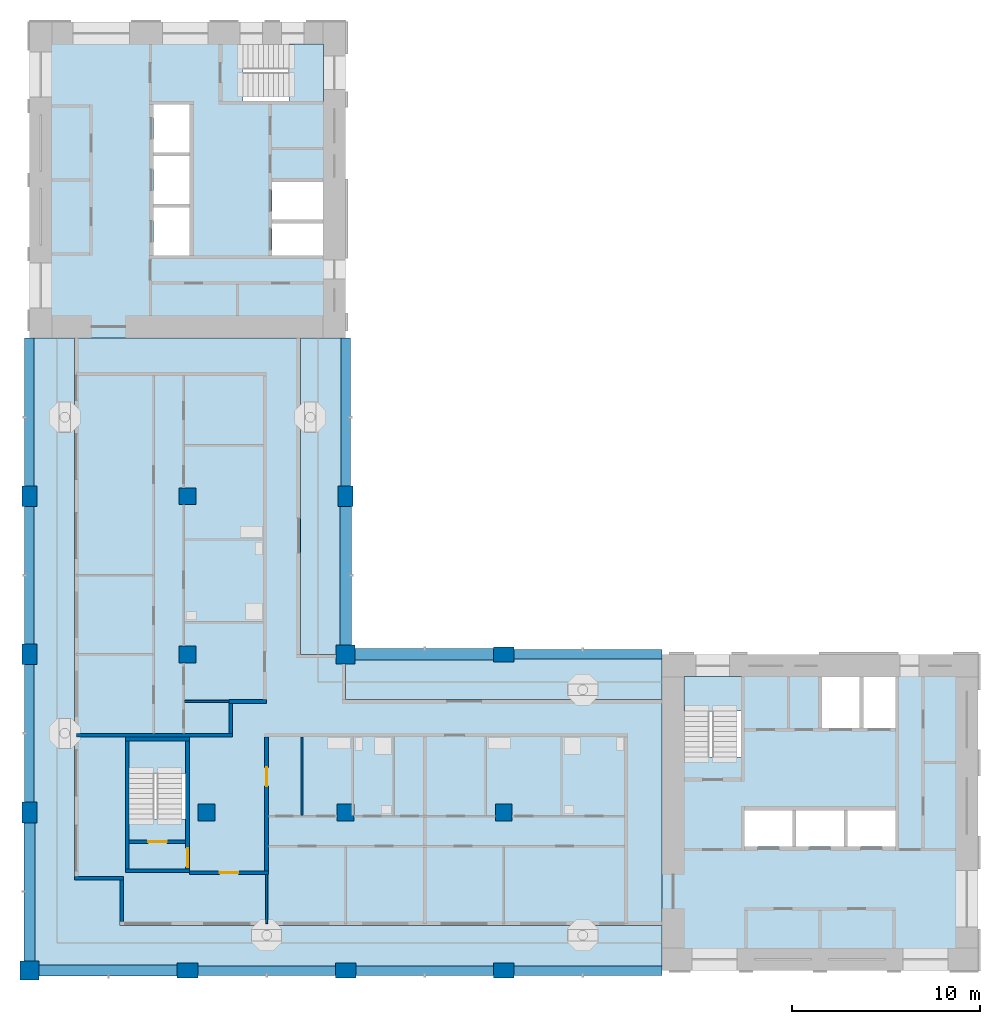
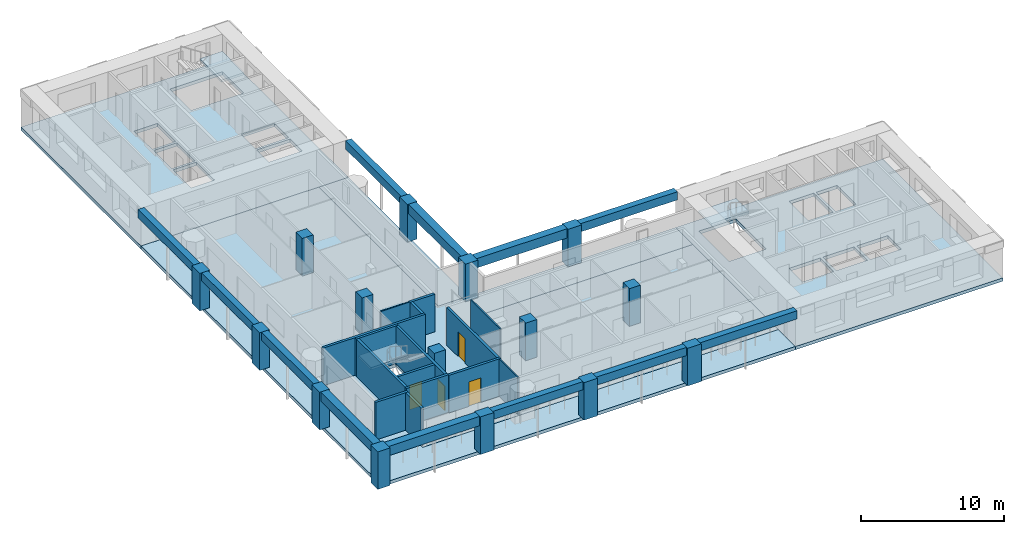
# One storey, part 1 of 11: 15 columns, 15 walls, 12 beams, 10 slabs, 4 doors, 4 openings, 3 elements without a shape of their own.
"""IFC4 building model written with IfcOpenShell, lengths in metres."""

from ifc_helpers import new_model, si_unit, direction, frame, frame_2d, origin, origin_2d, place, context, subcontext, project, spatial, polyline, rectangle, outline, extrude, material, layer, layer_set, material_profile, profile_set, type_object, element, fill, aggregate, save


model = new_model("IFC4")

# Units and contexts
model_context = context("Model", 3, precision=1e-05, world=origin(), true_north=direction((0.0, 1.0)))
body_context = subcontext(model_context, "Body", "Model", "MODEL_VIEW")
ifc_project = project(units=[si_unit("LENGTHUNIT", "METRE"), si_unit("AREAUNIT", "SQUARE_METRE"), si_unit("VOLUMEUNIT", "CUBIC_METRE"), si_unit("PLANEANGLEUNIT", "RADIAN"), si_unit("MASSUNIT", "GRAM", prefix="KILO")], contexts=[model_context])

# Site, building, storey
site_placement = place(None, origin())
site = spatial("IfcSite", under=ifc_project, at=site_placement, CompositionType="ELEMENT")
building_placement = place(site_placement, origin())
building = spatial("IfcBuilding", under=site, at=building_placement, Name="Vermilion Gate Residences", CompositionType="ELEMENT")
storey_placement = place(building_placement, frame((0.0, 0.0, 256.199951171875)))
storey = spatial("IfcBuildingStorey", under=building, at=storey_placement, Name="L67", CompositionType="ELEMENT", Elevation=256.199951171875)

# Columns
ifc_material_1 = material(Name="Concrete C50", Category="concrete")
ifc_material_profile_1 = material_profile(ifc_material_1, rectangle(XDim=1.0, YDim=1.0, at=origin_2d()), Name="RC-1000x1000")
ifc_profile_set_1 = profile_set([ifc_material_profile_1], Name="Concrete C50")
column_type_1 = type_object("IfcColumnType", Name="RC COLUMN 1000 X 1000 C50", PredefinedType="COLUMN", material=ifc_profile_set_1)
for number, where, z_axis, x_axis, name in (
    (1, (8.39990234375, 8.39990234375, 0.0), (0.0, 0.0, 1.0), (1.0, 0.0, 0.0), "Column 2-B L67"),
    (2, (25.199951171875, 25.199951171875, 0.0), (0.0, 0.0, 1.0), (1.0, 0.0, 0.0), "Column 4-D L67"),
):
    element("IfcColumn", number, at=place(storey_placement, frame(where, z_axis=z_axis, x_axis=x_axis)), inside=storey, type_object=column_type_1, Name=name, PredefinedType="COLUMN", context=body_context, shape_type="SweptSolid", body=[
        extrude(rectangle(XDim=1.0, YDim=1.0, at=origin_2d()), origin(), (0.0, 0.0, 1.0), 3.219970703125),
    ])
ifc_material_2 = material(Name="Concrete C50", Category="concrete")
ifc_material_profile_2 = material_profile(ifc_material_2, rectangle(XDim=1.10009765625, YDim=0.800048828125, at=origin_2d()), Name="RC-1100x800")
ifc_profile_set_2 = profile_set([ifc_material_profile_2], Name="Concrete C50")
column_type_2 = type_object("IfcColumnType", Name="RC COLUMN 1100 X 800 C50", PredefinedType="COLUMN", material=ifc_profile_set_2)
for number, where, z_axis, x_axis, name in (
    (3, (8.39990234375, 16.800048828125, 0.0), (0.0, 0.0, 1.0), (0.0, 1.0, 0.0), "Column 2-C L67"),
    (4, (8.39990234375, 25.199951171875, 0.0), (0.0, 0.0, 1.0), (0.0, 1.0, 0.0), "Column 2-D L67"),
    (5, (8.39990234375, 33.60009765625, 0.0), (0.0, 0.0, 1.0), (0.0, 1.0, 0.0), "Column 2-E L67"),
    (6, (16.800048828125, 8.39990234375, 0.0), (0.0, 0.0, 1.0), (1.0, 0.0, 0.0), "Column 3-B L67"),
    (7, (25.199951171875, 8.39990234375, 0.0), (0.0, 0.0, 1.0), (1.0, 0.0, 0.0), "Column 4-B L67"),
    (8, (25.199951171875, 33.60009765625, 0.0), (0.0, 0.0, 1.0), (0.0, 1.0, 0.0), "Column 4-E L67"),
    (9, (33.60009765625, 8.39990234375, 0.0), (0.0, 0.0, 1.0), (1.0, 0.0, 0.0), "Column 5-B L67"),
    (10, (33.60009765625, 25.199951171875, 0.0), (0.0, 0.0, 1.0), (1.0, 0.0, 0.0), "Column 5-D L67"),
):
    element("IfcColumn", number, at=place(storey_placement, frame(where, z_axis=z_axis, x_axis=x_axis)), inside=storey, type_object=column_type_2, Name=name, PredefinedType="COLUMN", context=body_context, shape_type="SweptSolid", body=[
        extrude(rectangle(XDim=1.10009765625, YDim=0.800048828125, at=origin_2d()), origin(), (0.0, 0.0, 1.0), 3.219970703125),
    ])
ifc_material_3 = material(Name="Concrete C50", Category="concrete")
ifc_material_profile_3 = material_profile(ifc_material_3, rectangle(XDim=0.89990234375, YDim=0.89990234375, at=origin_2d()), Name="RC-900x900")
ifc_profile_set_3 = profile_set([ifc_material_profile_3], Name="Concrete C50")
column_type_3 = type_object("IfcColumnType", Name="RC COLUMN 900 X 900 C50", PredefinedType="COLUMN", material=ifc_profile_set_3)
for number, where, z_axis, x_axis, name in (
    (11, (17.800048828125, 16.800048828125, 0.0), (0.0, 0.0, 1.0), (1.0, 0.0, 0.0), "Column 3-C L67"),
    (12, (16.800048828125, 25.199951171875, 0.0), (0.0, 0.0, 1.0), (1.0, 0.0, 0.0), "Column 3-D L67"),
    (13, (16.800048828125, 33.60009765625, 0.0), (0.0, 0.0, 1.0), (1.0, 0.0, 0.0), "Column 3-E L67"),
    (14, (25.199951171875, 16.800048828125, 0.0), (0.0, 0.0, 1.0), (1.0, 0.0, 0.0), "Column 4-C L67"),
    (15, (33.60009765625, 16.800048828125, 0.0), (0.0, 0.0, 1.0), (1.0, 0.0, 0.0), "Column 5-C L67"),
):
    element("IfcColumn", number, at=place(storey_placement, frame(where, z_axis=z_axis, x_axis=x_axis)), inside=storey, type_object=column_type_3, Name=name, PredefinedType="COLUMN", context=body_context, shape_type="SweptSolid", body=[
        extrude(rectangle(XDim=0.89990234375, YDim=0.89990234375, at=origin_2d()), origin(), (0.0, 0.0, 1.0), 3.219970703125),
    ])

# Beams
ifc_material_4 = material(Name="Concrete C60 red-oxide pigmented", Category="concrete")
ifc_material_profile_4 = material_profile(ifc_material_4, rectangle(XDim=0.60009765625, YDim=0.800048828125, at=origin_2d()), Name="RC-600x800")
ifc_profile_set_4 = profile_set([ifc_material_profile_4], Name="Concrete C60 red-oxide pigmented")
beam_type_1 = type_object("IfcBeamType", Name="RC CORNER EDGE BEAM 600 X 800 C60", PredefinedType="BEAM", material=ifc_profile_set_4)
for number, where, z_axis, x_axis, name in (
    (16, (8.89990234375, 8.39990234375, 2.820068359375), (1.0, 0.0, 0.0), (0.0, 1.0, 0.0), "Corner edge beam L67 1"),
    (17, (8.39990234375, 8.89990234375, 2.820068359375), (0.0, 1.0, 0.0), (-1.0, 0.0, 0.0), "Corner edge beam L67 2"),
    (18, (25.199951171875, 25.699951171875, 2.820068359375), (0.0, 1.0, 0.0), (-1.0, 0.0, 0.0), "Corner edge beam L67 7"),
    (19, (25.699951171875, 25.199951171875, 2.820068359375), (1.0, 0.0, 0.0), (0.0, 1.0, 0.0), "Corner edge beam L67 10"),
):
    element("IfcBeam", number, at=place(storey_placement, frame(where, z_axis=z_axis, x_axis=x_axis)), inside=storey, type_object=beam_type_1, Name=name, PredefinedType="BEAM", context=body_context, shape_type="SweptSolid", body=[
        extrude(rectangle(XDim=0.60009765625, YDim=0.800048828125, at=origin_2d()), origin(), (0.0, 0.0, 1.0), 7.35009765625),
    ])
ifc_material_5 = material(Name="Concrete C60 red-oxide pigmented", Category="concrete")
ifc_material_profile_5 = material_profile(ifc_material_5, rectangle(XDim=0.5, YDim=0.699951171875, at=origin_2d()), Name="RC-500x700")
ifc_profile_set_5 = profile_set([ifc_material_profile_5], Name="Concrete C60 red-oxide pigmented")
beam_type_2 = type_object("IfcBeamType", Name="RC EDGE BEAM 500 X 700 C60", PredefinedType="BEAM", material=ifc_profile_set_5)
beam_1_placement = place(storey_placement, frame((8.39990234375, 17.35009765625, 2.8701171875), z_axis=(0.0, 1.0, 0.0), x_axis=(-1.0, 0.0, 0.0)))
element("IfcBeam", 20, at=beam_1_placement, inside=storey, type_object=beam_type_2, Name="Edge beam L67 3", PredefinedType="BEAM", context=body_context, shape_type="SweptSolid", body=[
    extrude(rectangle(XDim=0.5, YDim=0.699951171875, at=origin_2d()), origin(), (0.0, 0.0, 1.0), 7.2998046875),
])
beam_2_placement = place(storey_placement, frame((8.39990234375, 25.75, 2.8701171875), z_axis=(0.0, 1.0, 0.0), x_axis=(-1.0, 0.0, 0.0)))
element("IfcBeam", 21, at=beam_2_placement, inside=storey, type_object=beam_type_2, Name="Edge beam L67 4", PredefinedType="BEAM", context=body_context, shape_type="SweptSolid", body=[
    extrude(rectangle(XDim=0.5, YDim=0.699951171875, at=origin_2d()), origin(), (0.0, 0.0, 1.0), 7.300048828125),
])
beam_3_placement = place(storey_placement, frame((8.39990234375, 34.14990234375, 2.8701171875), z_axis=(0.0, 1.0, 0.0), x_axis=(-1.0, 0.0, 0.0)))
element("IfcBeam", 22, at=beam_3_placement, inside=storey, type_object=beam_type_2, Name="Edge beam L67 5", PredefinedType="BEAM", context=body_context, shape_type="SweptSolid", body=[
    extrude(rectangle(XDim=0.5, YDim=0.699951171875, at=origin_2d()), origin(), (0.0, 0.0, 1.0), 7.85009765625),
])
beam_4_placement = place(storey_placement, frame((17.35009765625, 8.39990234375, 2.8701171875), z_axis=(1.0, 0.0, 0.0), x_axis=(0.0, 1.0, 0.0)))
element("IfcBeam", 23, at=beam_4_placement, inside=storey, type_object=beam_type_2, Name="Edge beam L67 6", PredefinedType="BEAM", context=body_context, shape_type="SweptSolid", body=[
    extrude(rectangle(XDim=0.5, YDim=0.699951171875, at=origin_2d()), origin(), (0.0, 0.0, 1.0), 7.2998046875),
])
beam_5_placement = place(storey_placement, frame((25.199951171875, 34.14990234375, 2.8701171875), z_axis=(0.0, 1.0, 0.0), x_axis=(-1.0, 0.0, 0.0)))
element("IfcBeam", 24, at=beam_5_placement, inside=storey, type_object=beam_type_2, Name="Edge beam L67 8", PredefinedType="BEAM", context=body_context, shape_type="SweptSolid", body=[
    extrude(rectangle(XDim=0.5, YDim=0.699951171875, at=origin_2d()), origin(), (0.0, 0.0, 1.0), 7.85009765625),
])
beam_6_placement = place(storey_placement, frame((25.75, 8.39990234375, 2.8701171875), z_axis=(1.0, 0.0, 0.0), x_axis=(0.0, 1.0, 0.0)))
element("IfcBeam", 25, at=beam_6_placement, inside=storey, type_object=beam_type_2, Name="Edge beam L67 9", PredefinedType="BEAM", context=body_context, shape_type="SweptSolid", body=[
    extrude(rectangle(XDim=0.5, YDim=0.699951171875, at=origin_2d()), origin(), (0.0, 0.0, 1.0), 7.300048828125),
])
for number, where, z_axis, x_axis, name in (
    (26, (34.14990234375, 8.39990234375, 2.8701171875), (1.0, 0.0, 0.0), (0.0, 1.0, 0.0), "Edge beam L67 11"),
    (27, (34.14990234375, 25.199951171875, 2.8701171875), (1.0, 0.0, 0.0), (0.0, 1.0, 0.0), "Edge beam L67 12"),
):
    element("IfcBeam", number, at=place(storey_placement, frame(where, z_axis=z_axis, x_axis=x_axis)), inside=storey, type_object=beam_type_2, Name=name, PredefinedType="BEAM", context=body_context, shape_type="SweptSolid", body=[
        extrude(rectangle(XDim=0.5, YDim=0.699951171875, at=origin_2d()), origin(), (0.0, 0.0, 1.0), 7.85009765625),
    ])

# Slabs
ifc_material_6 = material(Name="Concrete C50", Category="concrete")
ifc_layer_1 = layer(ifc_material_6, 0.280029296875)
ifc_layer_set_1 = layer_set([ifc_layer_1], Name="RC CORE FLOOR SLAB 280 C50")
slab_type_1 = type_object("IfcSlabType", Name="RC CORE FLOOR SLAB 280 C50", PredefinedType="FLOOR", material=ifc_layer_set_1)
slab_1_placement = place(storey_placement, frame((0.0, 0.0, -0.280029296875)))
element("IfcSlab", 28, at=slab_1_placement, inside=storey, type_object=slab_type_1, Name="Core floor slab A67", PredefinedType="FLOOR", context=body_context, shape_type="SweptSolid", body=[
    extrude(outline(polyline([(42.0, 8.39990234375), (58.800048828125, 8.39990234375), (58.800048828125, 25.199951171875), (42.0, 25.199951171875), (42.0, 8.39990234375)]), holes=[polyline([(46.39990234375, 15.0), (46.39990234375, 16.89990234375), (48.933349609375, 16.89990234375), (48.933349609375, 15.0), (46.39990234375, 15.0)]), polyline([(49.13330078125, 16.89990234375), (51.666748046875, 16.89990234375), (51.666748046875, 15.0), (49.13330078125, 15.0), (49.13330078125, 16.89990234375)]), polyline([(51.86669921875, 16.89990234375), (54.39990234375, 16.89990234375), (54.39990234375, 15.0), (51.86669921875, 15.0), (51.86669921875, 16.89990234375)]), polyline([(43.199951171875, 19.75), (43.199951171875, 24.0), (46.199951171875, 24.0), (46.199951171875, 19.75), (43.199951171875, 19.75)]), polyline([(50.5, 24.0), (52.5, 24.0), (52.5, 21.300048828125), (50.5, 21.300048828125), (50.5, 24.0)]), polyline([(52.699951171875, 24.0), (54.39990234375, 24.0), (54.39990234375, 21.300048828125), (52.699951171875, 21.300048828125), (52.699951171875, 24.0)])]), origin(), (0.0, 0.0, 1.0), 0.280029296875),
])
slab_2_placement = place(storey_placement, frame((0.0, 0.0, -0.280029296875)))
element("IfcSlab", 29, at=slab_2_placement, inside=storey, type_object=slab_type_1, Name="Core floor slab B67", PredefinedType="FLOOR", context=body_context, shape_type="SweptSolid", body=[
    extrude(outline(polyline([(8.39990234375, 42.0), (25.199951171875, 42.0), (25.199951171875, 58.800048828125), (8.39990234375, 58.800048828125), (8.39990234375, 42.0)]), holes=[polyline([(21.300048828125, 46.39990234375), (21.300048828125, 48.10009765625), (24.0, 48.10009765625), (24.0, 46.39990234375), (21.300048828125, 46.39990234375)]), polyline([(15.0, 48.933349609375), (16.89990234375, 48.933349609375), (16.89990234375, 46.39990234375), (15.0, 46.39990234375), (15.0, 48.933349609375)]), polyline([(21.300048828125, 50.300048828125), (24.0, 50.300048828125), (24.0, 48.300048828125), (21.300048828125, 48.300048828125), (21.300048828125, 50.300048828125)]), polyline([(15.0, 49.13330078125), (15.0, 51.666748046875), (16.89990234375, 51.666748046875), (16.89990234375, 49.13330078125), (15.0, 49.13330078125)]), polyline([(15.0, 54.39990234375), (16.89990234375, 54.39990234375), (16.89990234375, 51.86669921875), (15.0, 51.86669921875), (15.0, 54.39990234375)]), polyline([(19.75, 57.60009765625), (24.0, 57.60009765625), (24.0, 54.60009765625), (19.75, 54.60009765625), (19.75, 57.60009765625)])]), origin(), (0.0, 0.0, 1.0), 0.280029296875),
])
slab_3_placement = place(storey_placement, frame((0.0, 0.0, -0.280029296875)))
element("IfcSlab", 30, at=slab_3_placement, inside=storey, type_object=slab_type_1, Name="Apex stair floor slab 67", PredefinedType="FLOOR", context=body_context, shape_type="SweptSolid", body=[
    extrude(outline(polyline([(13.5, 13.60009765625), (16.89990234375, 13.60009765625), (16.89990234375, 20.800048828125), (13.5, 20.800048828125), (13.5, 13.60009765625)]), holes=[polyline([(16.699951171875, 20.60009765625), (16.699951171875, 16.449951171875), (13.699951171875, 16.449951171875), (13.699951171875, 20.60009765625), (16.699951171875, 20.60009765625)])]), origin(), (0.0, 0.0, 1.0), 0.280029296875),
])
ifc_material_7 = material(Name="Concrete C50", Category="concrete")
ifc_layer_2 = layer(ifc_material_7, 0.280029296875)
ifc_layer_set_2 = layer_set([ifc_layer_2], Name="RC FLAT PLATE 280 C50")
slab_type_2 = type_object("IfcSlabType", Name="RC FLAT PLATE 280 C50", PredefinedType="FLOOR", material=ifc_layer_set_2)
slab_4_placement = place(storey_placement, frame((0.0, 0.0, -0.280029296875)))
element("IfcSlab", 31, at=slab_4_placement, inside=storey, type_object=slab_type_2, Name="Floor slab L67", PredefinedType="FLOOR", context=body_context, shape_type="SweptSolid", body=[
    extrude(outline(polyline([(22.800048828125, 25.199951171875), (22.800048828125, 42.0), (10.800048828125, 42.0), (10.800048828125, 13.199951171875), (13.199951171875, 13.199951171875), (13.199951171875, 10.800048828125), (42.0, 10.800048828125), (42.0, 22.800048828125), (25.199951171875, 22.800048828125), (25.199951171875, 25.199951171875), (22.800048828125, 25.199951171875)]), holes=[polyline([(13.5, 13.60009765625), (13.5, 20.800048828125), (16.89990234375, 20.800048828125), (16.89990234375, 13.60009765625), (13.5, 13.60009765625)])]), origin(), (0.0, 0.0, 1.0), 0.280029296875),
])
ifc_material_8 = material(Name="Concrete C50 red-oxide pigmented", Category="concrete")
ifc_layer_3 = layer(ifc_material_8, 0.280029296875)
ifc_layer_set_3 = layer_set([ifc_layer_3], Name="RC LOGGIA SLAB 280 C50")
slab_type_3 = type_object("IfcSlabType", Name="RC LOGGIA SLAB 280 C50", PredefinedType="FLOOR", material=ifc_layer_set_3)
slab_5_placement = place(storey_placement, frame((0.0, 0.0, -0.280029296875)))
element("IfcSlab", 32, at=slab_5_placement, inside=storey, type_object=slab_type_3, Name="Loggia slab L67", PredefinedType="FLOOR", context=body_context, shape_type="SweptSolid", body=[
    extrude(outline(polyline([(8.39990234375, 8.39990234375), (42.0, 8.39990234375), (42.0, 10.800048828125), (13.199951171875, 10.800048828125), (13.199951171875, 13.199951171875), (10.800048828125, 13.199951171875), (10.800048828125, 42.0), (8.39990234375, 42.0), (8.39990234375, 8.39990234375)])), origin(), (0.0, 0.0, 1.0), 0.280029296875),
])
slab_6_placement = place(storey_placement, frame((0.0, 0.0, -0.280029296875)))
element("IfcSlab", 33, at=slab_6_placement, inside=storey, type_object=slab_type_3, Name="Loggia slab L67", PredefinedType="FLOOR", context=body_context, shape_type="SweptSolid", body=[
    extrude(outline(polyline([(25.199951171875, 22.800048828125), (42.0, 22.800048828125), (42.0, 25.199951171875), (25.199951171875, 25.199951171875), (25.199951171875, 22.800048828125)])), origin(), (0.0, 0.0, 1.0), 0.280029296875),
])
slab_7_placement = place(storey_placement, frame((0.0, 0.0, -0.280029296875)))
element("IfcSlab", 34, at=slab_7_placement, inside=storey, type_object=slab_type_3, Name="Loggia slab L67", PredefinedType="FLOOR", context=body_context, shape_type="SweptSolid", body=[
    extrude(outline(polyline([(25.199951171875, 42.0), (22.800048828125, 42.0), (22.800048828125, 25.199951171875), (25.199951171875, 25.199951171875), (25.199951171875, 42.0)])), origin(), (0.0, 0.0, 1.0), 0.280029296875),
])

# Stair, slab
ifc_material_9 = material(Name="Concrete C50", Category="concrete")
stair_type = type_object("IfcStairType", Name="SPECIAL ESCAPE STAIR 1300", PredefinedType="HALF_TURN_STAIR", material=ifc_material_9)
stair_1_placement = place(storey_placement, origin())
stair_1 = element("IfcStair", 35, at=stair_1_placement, inside=storey, type_object=stair_type, Name="Special escape stair STA1-67", PredefinedType="HALF_TURN_STAIR")
ifc_material_10 = material(Name="Concrete C50", Category="concrete")
ifc_layer_4 = layer(ifc_material_10, 0.199951171875)
ifc_layer_set_4 = layer_set([ifc_layer_4], Name="STAIR LANDING 200 C50")
slab_type_4 = type_object("IfcSlabType", Name="STAIR LANDING 200 C50", PredefinedType="LANDING", material=ifc_layer_set_4)
slab_8_placement = place(storey_placement, frame((0.0, 0.0, 1.550048828125)))
slab_8 = element("IfcSlab", 36, at=slab_8_placement, type_object=slab_type_4, Name="STA1-67 landing 1", PredefinedType="LANDING", context=body_context, shape_type="SweptSolid", body=[
    extrude(outline(polyline([(46.219970703125, 22.179931640625), (46.219970703125, 24.02001953125), (43.179931640625, 24.02001953125), (43.179931640625, 22.179931640625), (46.219970703125, 22.179931640625)])), origin(), (0.0, 0.0, 1.0), 0.199951171875),
])
aggregate(stair_1, [slab_8])

stair_2_placement = place(storey_placement, origin())
stair_2 = element("IfcStair", 37, at=stair_2_placement, inside=storey, type_object=stair_type, Name="Special escape stair STB1-67", PredefinedType="HALF_TURN_STAIR")
slab_9_placement = place(storey_placement, frame((0.0, 0.0, 1.550048828125)))
slab_9 = element("IfcSlab", 38, at=slab_9_placement, type_object=slab_type_4, Name="STB1-67 landing 1", PredefinedType="LANDING", context=body_context, shape_type="SweptSolid", body=[
    extrude(outline(polyline([(24.02001953125, 54.580078125), (24.02001953125, 57.6201171875), (22.179931640625, 57.6201171875), (22.179931640625, 54.580078125), (24.02001953125, 54.580078125)])), origin(), (0.0, 0.0, 1.0), 0.199951171875),
])
aggregate(stair_2, [slab_9])

stair_3_placement = place(storey_placement, origin())
stair_3 = element("IfcStair", 39, at=stair_3_placement, inside=storey, type_object=stair_type, Name="Special escape stair STC1-67", PredefinedType="HALF_TURN_STAIR")
slab_10_placement = place(storey_placement, frame((0.0, 0.0, 1.550048828125)))
slab_10 = element("IfcSlab", 40, at=slab_10_placement, type_object=slab_type_4, Name="STC1-67 landing 1", PredefinedType="LANDING", context=body_context, shape_type="SweptSolid", body=[
    extrude(outline(polyline([(16.719970703125, 18.8798828125), (16.719970703125, 20.6201171875), (13.679931640625, 20.6201171875), (13.679931640625, 18.8798828125), (16.719970703125, 18.8798828125)])), origin(), (0.0, 0.0, 1.0), 0.199951171875),
])
aggregate(stair_3, [slab_10])

# Walls
ifc_material_11 = material(Name="Insulated steel stud wall with terracotta rainscreen", Category="masonry")
ifc_layer_5 = layer(ifc_material_11, 0.199951171875)
ifc_layer_set_5 = layer_set([ifc_layer_5], Name="EXTERNAL WALL 200 TERRACOTTA RAINSCREEN")
wall_type_1 = type_object("IfcWallType", Name="EXTERNAL WALL 200 TERRACOTTA RAINSCREEN", PredefinedType="SOLIDWALL", material=ifc_layer_set_5)
wall_1_placement = place(storey_placement, frame((10.800048828125, 13.300048828125, 0.0), z_axis=(0.0, 0.0, 1.0), x_axis=(1.0, 0.0, 0.0)))
element("IfcWall", 41, at=wall_1_placement, inside=storey, type_object=wall_type_1, Name="External wall", PredefinedType="SOLIDWALL", context=body_context, shape_type="SweptSolid", body=[
    extrude(rectangle(XDim=2.599853515625, YDim=0.199951171875, at=frame_2d((1.2998046875, 0.0))), origin(), (0.0, 0.0, 1.0), 3.219970703125),
])
wall_2_placement = place(storey_placement, frame((13.300048828125, 13.199951171875, 0.0), z_axis=(0.0, 0.0, 1.0), x_axis=(0.0, -1.0, 0.0)))
element("IfcWall", 42, at=wall_2_placement, inside=storey, type_object=wall_type_1, Name="External wall", PredefinedType="SOLIDWALL", context=body_context, shape_type="SweptSolid", body=[
    extrude(rectangle(XDim=2.199951171875, YDim=0.199951171875, at=frame_2d((1.10009765625, 0.0))), origin(), (0.0, 0.0, 1.0), 3.219970703125),
])
ifc_material_12 = material(Name="Plasterboard on steel studs", Category="steel")
ifc_layer_6 = layer(ifc_material_12, 0.10009765625)
ifc_layer_set_6 = layer_set([ifc_layer_6], Name="PARTITION 100")
wall_type_2 = type_object("IfcWallType", Name="PARTITION 100", PredefinedType="PARTITIONING", material=ifc_layer_set_6)
wall_3_placement = place(storey_placement, frame((16.64990234375, 22.699951171875, 0.0), z_axis=(0.0, 0.0, 1.0), x_axis=(1.0, 0.0, 0.0)))
element("IfcWall", 43, at=wall_3_placement, inside=storey, type_object=wall_type_2, Name="Partition", PredefinedType="PARTITIONING", context=body_context, shape_type="SweptSolid", body=[
    extrude(rectangle(XDim=2.35009765625, YDim=0.10009765625, at=frame_2d((1.175048828125, 0.0))), origin(), (0.0, 0.0, 1.0), 3.219970703125),
])
wall_4_placement = place(storey_placement, frame((21.0, 10.89990234375, 0.0), z_axis=(0.0, 0.0, 1.0), x_axis=(0.0, 1.0, 0.0)))
element("IfcWall", 44, at=wall_4_placement, inside=storey, type_object=wall_type_2, Name="Partition", PredefinedType="PARTITIONING", context=body_context, shape_type="SweptSolid", body=[
    extrude(rectangle(XDim=2.60009765625, YDim=0.10009765625, at=frame_2d((1.300048828125, 0.0))), origin(), (0.0, 0.0, 1.0), 3.219970703125),
])
wall_5_placement = place(storey_placement, frame((22.884033203125, 16.64990234375, 0.0), z_axis=(0.0, 0.0, 1.0), x_axis=(0.0, 1.0, 0.0)))
element("IfcWall", 45, at=wall_5_placement, inside=storey, type_object=wall_type_2, Name="Partition", PredefinedType="PARTITIONING", context=body_context, shape_type="SweptSolid", body=[
    extrude(rectangle(XDim=4.150146484375, YDim=0.10009765625, at=frame_2d((2.0751953125, 0.0))), origin(), (0.0, 0.0, 1.0), 3.219970703125),
])

# Wall, opening, door
ifc_material_13 = material(Name="Fire-rated plasterboard on steel studs", Category="steel")
ifc_layer_7 = layer(ifc_material_13, 0.199951171875)
ifc_layer_set_7 = layer_set([ifc_layer_7], Name="PARTY WALL 200 EI 120")
wall_type_3 = type_object("IfcWallType", Name="PARTY WALL 200 EI 120", PredefinedType="PARTITIONING", material=ifc_layer_set_7)
wall_6_placement = place(storey_placement, frame((16.89990234375, 13.60009765625, 0.0), z_axis=(0.0, 0.0, 1.0), x_axis=(1.0, 0.0, 0.0)))
wall_6 = element("IfcWall", 46, at=wall_6_placement, inside=storey, type_object=wall_type_3, Name="Party and corridor wall", PredefinedType="PARTITIONING", context=body_context, shape_type="SweptSolid", body=[
    extrude(rectangle(XDim=4.2001953125, YDim=0.199951171875, at=frame_2d((2.10009765625, 0.0))), origin(), (0.0, 0.0, 1.0), 3.219970703125),
])
opening_1_placement = place(wall_6_placement, frame((1.60009765625, 0.0, 0.0)))
opening_1 = element("IfcOpeningElement", 47, at=opening_1_placement, cuts=wall_6, Name="Opening DA67001", PredefinedType="OPENING", context=body_context, shape_type="SweptSolid", body=[
    extrude(rectangle(XDim=1.0, YDim=2.10009765625, at=frame_2d((0.5, 1.050048828125))), frame((0.0, 0.10986328125, 0.0), z_axis=(0.0, -1.0, 0.0), x_axis=(1.0, 0.0, 0.0)), (0.0, 0.0, 1.0), 0.219970703125),
])
ifc_material_14 = material(Name="Steel", Category="steel")
door_type_1 = type_object("IfcDoorType", Name="ENTRANCE DOOR 1000 X 2100 FD30", OperationType="SINGLE_SWING_LEFT", PredefinedType="DOOR", material=ifc_material_14)
door_1_placement = place(opening_1_placement, frame((1.0, 0.0, 0.0), z_axis=(0.0, 0.0, 1.0), x_axis=(-1.0, 0.0, 0.0)))
door_1 = element("IfcDoor", 48, at=door_1_placement, inside=storey, type_object=door_type_1, Name="Entrance door", OperationType="SINGLE_SWING_LEFT", OverallHeight=2.10009765625, OverallWidth=1.0, PredefinedType="DOOR", context=body_context, shape_type="SweptSolid", body=[
    extrude(rectangle(XDim=1.0, YDim=2.10009765625, at=frame_2d((0.5, 1.050048828125))), frame((0.0, 0.02490234375, 0.0), z_axis=(0.0, -1.0, 0.0), x_axis=(1.0, 0.0, 0.0)), (0.0, 0.0, 1.0), 0.050048828125),
])
fill(opening_1, door_1)

# Walls
wall_7_placement = place(storey_placement, frame((10.89990234375, 20.89990234375, 0.0), z_axis=(0.0, 0.0, 1.0), x_axis=(1.0, 0.0, 0.0)))
element("IfcWall", 49, at=wall_7_placement, inside=storey, type_object=wall_type_3, Name="Party and corridor wall", PredefinedType="PARTITIONING", context=body_context, shape_type="SweptSolid", body=[
    extrude(rectangle(XDim=8.300048828125, YDim=0.199951171875, at=frame_2d((4.14990234375, 0.0))), origin(), (0.0, 0.0, 1.0), 3.219970703125),
])
wall_8_placement = place(storey_placement, frame((19.0, 22.699951171875, 0.0), z_axis=(0.0, 0.0, 1.0), x_axis=(1.0, 0.0, 0.0)))
element("IfcWall", 50, at=wall_8_placement, inside=storey, type_object=wall_type_3, Name="Party and corridor wall", PredefinedType="PARTITIONING", context=body_context, shape_type="SweptSolid", body=[
    extrude(rectangle(XDim=2.0, YDim=0.199951171875, at=frame_2d((1.0, 0.0))), origin(), (0.0, 0.0, 1.0), 3.219970703125),
])
wall_9_placement = place(storey_placement, frame((19.10009765625, 21.0, 0.0), z_axis=(0.0, 0.0, 1.0), x_axis=(0.0, 1.0, 0.0)))
element("IfcWall", 51, at=wall_9_placement, inside=storey, type_object=wall_type_3, Name="Party and corridor wall", PredefinedType="PARTITIONING", context=body_context, shape_type="SweptSolid", body=[
    extrude(rectangle(XDim=1.60009765625, YDim=0.199951171875, at=frame_2d((0.800048828125, 0.0))), origin(), (0.0, 0.0, 1.0), 3.219970703125),
])

# Wall, opening, door
wall_10_placement = place(storey_placement, frame((21.0, 13.699951171875, 0.0), z_axis=(0.0, 0.0, 1.0), x_axis=(0.0, 1.0, 0.0)))
wall_10 = element("IfcWall", 52, at=wall_10_placement, inside=storey, type_object=wall_type_3, Name="Party and corridor wall", PredefinedType="PARTITIONING", context=body_context, shape_type="SweptSolid", body=[
    extrude(rectangle(XDim=7.10009765625, YDim=0.199951171875, at=frame_2d((3.550048828125, 0.0))), origin(), (0.0, 0.0, 1.0), 3.219970703125),
])
opening_2_placement = place(wall_10_placement, frame((4.5, 0.0, 0.0)))
opening_2 = element("IfcOpeningElement", 53, at=opening_2_placement, cuts=wall_10, Name="Opening DA67023", PredefinedType="OPENING", context=body_context, shape_type="SweptSolid", body=[
    extrude(rectangle(XDim=1.0, YDim=2.10009765625, at=frame_2d((0.5, 1.050048828125))), frame((0.0, 0.10986328125, 0.0), z_axis=(0.0, -1.0, 0.0), x_axis=(1.0, 0.0, 0.0)), (0.0, 0.0, 1.0), 0.219970703125),
])
door_2_placement = place(opening_2_placement, frame((1.0, 0.0, 0.0), z_axis=(0.0, 0.0, 1.0), x_axis=(-1.0, 0.0, 0.0)))
door_2 = element("IfcDoor", 54, at=door_2_placement, inside=storey, type_object=door_type_1, Name="Entrance door", OperationType="SINGLE_SWING_RIGHT", OverallHeight=2.10009765625, OverallWidth=1.0, PredefinedType="DOOR", context=body_context, shape_type="SweptSolid", body=[
    extrude(rectangle(XDim=1.0, YDim=2.10009765625, at=frame_2d((0.5, 1.050048828125))), frame((0.0, 0.02490234375, 0.0), z_axis=(0.0, -1.0, 0.0), x_axis=(1.0, 0.0, 0.0)), (0.0, 0.0, 1.0), 0.050048828125),
])
fill(opening_2, door_2)

# Wall
ifc_material_15 = material(Name="Concrete C60", Category="concrete")
ifc_layer_8 = layer(ifc_material_15, 0.199951171875)
ifc_layer_set_8 = layer_set([ifc_layer_8], Name="RC CORE INTERNAL WALL 200 C60")
wall_type_4 = type_object("IfcWallType", Name="RC CORE INTERNAL WALL 200 C60", PredefinedType="SHEAR", material=ifc_layer_set_8)
wall_11_placement = place(storey_placement, frame((13.60009765625, 13.800048828125, 0.0), z_axis=(0.0, 0.0, 1.0), x_axis=(0.0, 1.0, 0.0)))
element("IfcWall", 55, at=wall_11_placement, inside=storey, type_object=wall_type_4, Name="Core internal wall C67-W", PredefinedType="SHEAR", context=body_context, shape_type="SweptSolid", body=[
    extrude(rectangle(XDim=6.800048828125, YDim=0.199951171875, at=frame_2d((3.39990234375, 0.0))), origin(), (0.0, 0.0, 1.0), 3.219970703125),
])

# Wall, opening, door
wall_12_placement = place(storey_placement, frame((16.800048828125, 13.800048828125, 0.0), z_axis=(0.0, 0.0, 1.0), x_axis=(0.0, 1.0, 0.0)))
wall_12 = element("IfcWall", 56, at=wall_12_placement, inside=storey, type_object=wall_type_4, Name="Core internal wall C67-E", PredefinedType="SHEAR", context=body_context, shape_type="SweptSolid", body=[
    extrude(rectangle(XDim=6.800048828125, YDim=0.199951171875, at=frame_2d((3.39990234375, 0.0))), origin(), (0.0, 0.0, 1.0), 3.219970703125),
])
opening_3_placement = place(wall_12_placement, frame((0.10009765625, 0.0, 0.0)))
opening_3 = element("IfcOpeningElement", 57, at=opening_3_placement, cuts=wall_12, Name="Opening DK67201", PredefinedType="OPENING", context=body_context, shape_type="SweptSolid", body=[
    extrude(rectangle(XDim=1.0, YDim=2.10009765625, at=frame_2d((0.5, 1.050048828125))), frame((0.0, 0.10986328125, 0.0), z_axis=(0.0, -1.0, 0.0), x_axis=(1.0, 0.0, 0.0)), (0.0, 0.0, 1.0), 0.219970703125),
])
ifc_material_16 = material(Name="Steel", Category="steel")
door_type_2 = type_object("IfcDoorType", Name="FIRE DOOR FD60 1000 X 2100", OperationType="SINGLE_SWING_LEFT", PredefinedType="DOOR", material=ifc_material_16)
door_3_placement = place(opening_3_placement, frame((1.0, 0.0, 0.0), z_axis=(0.0, 0.0, 1.0), x_axis=(-1.0, 0.0, 0.0)))
door_3 = element("IfcDoor", 58, at=door_3_placement, inside=storey, type_object=door_type_2, Name="Stair vestibule door C67", OperationType="SINGLE_SWING_RIGHT", OverallHeight=2.10009765625, OverallWidth=1.0, PredefinedType="DOOR", context=body_context, shape_type="SweptSolid", body=[
    extrude(rectangle(XDim=1.0, YDim=2.10009765625, at=frame_2d((0.5, 1.050048828125))), frame((0.0, 0.02490234375, 0.0), z_axis=(0.0, -1.0, 0.0), x_axis=(1.0, 0.0, 0.0)), (0.0, 0.0, 1.0), 0.050048828125),
])
fill(opening_3, door_3)

# Walls
for number, where, z_axis, x_axis, name in (
    (59, (13.5, 13.699951171875, 0.0), (0.0, 0.0, 1.0), (1.0, 0.0, 0.0), "Core internal wall C67-S"),
    (60, (13.5, 20.699951171875, 0.0), (0.0, 0.0, 1.0), (1.0, 0.0, 0.0), "Core internal wall C67-N"),
):
    element("IfcWall", number, at=place(storey_placement, frame(where, z_axis=z_axis, x_axis=x_axis)), inside=storey, type_object=wall_type_4, Name=name, PredefinedType="SHEAR", context=body_context, shape_type="SweptSolid", body=[
        extrude(rectangle(XDim=3.39990234375, YDim=0.199951171875, at=frame_2d((1.699951171875, 0.0))), origin(), (0.0, 0.0, 1.0), 3.219970703125),
    ])

# Wall, opening, door
wall_13_placement = place(storey_placement, frame((13.699951171875, 15.25, 0.0), z_axis=(0.0, 0.0, 1.0), x_axis=(1.0, 0.0, 0.0)))
wall_13 = element("IfcWall", 61, at=wall_13_placement, inside=storey, type_object=wall_type_4, Name="Core internal wall C67-P", PredefinedType="SHEAR", context=body_context, shape_type="SweptSolid", body=[
    extrude(rectangle(XDim=3.0, YDim=0.199951171875, at=frame_2d((1.5, 0.0))), origin(), (0.0, 0.0, 1.0), 3.219970703125),
])
opening_4_placement = place(wall_13_placement, frame((1.0, 0.0, 0.0)))
opening_4 = element("IfcOpeningElement", 62, at=opening_4_placement, cuts=wall_13, Name="Opening DK67202", PredefinedType="OPENING", context=body_context, shape_type="SweptSolid", body=[
    extrude(rectangle(XDim=1.0, YDim=2.10009765625, at=frame_2d((0.5, 1.050048828125))), frame((0.0, 0.10986328125, 0.0), z_axis=(0.0, -1.0, 0.0), x_axis=(1.0, 0.0, 0.0)), (0.0, 0.0, 1.0), 0.219970703125),
])
door_4_placement = place(opening_4_placement, origin())
door_4 = element("IfcDoor", 63, at=door_4_placement, inside=storey, type_object=door_type_2, Name="Stair door C67", OperationType="SINGLE_SWING_LEFT", OverallHeight=2.10009765625, OverallWidth=1.0, PredefinedType="DOOR", context=body_context, shape_type="SweptSolid", body=[
    extrude(rectangle(XDim=1.0, YDim=2.10009765625, at=frame_2d((0.5, 1.050048828125))), frame((0.0, 0.02490234375, 0.0), z_axis=(0.0, -1.0, 0.0), x_axis=(1.0, 0.0, 0.0)), (0.0, 0.0, 1.0), 0.050048828125),
])
fill(opening_4, door_4)

save(model, "model.ifc")
